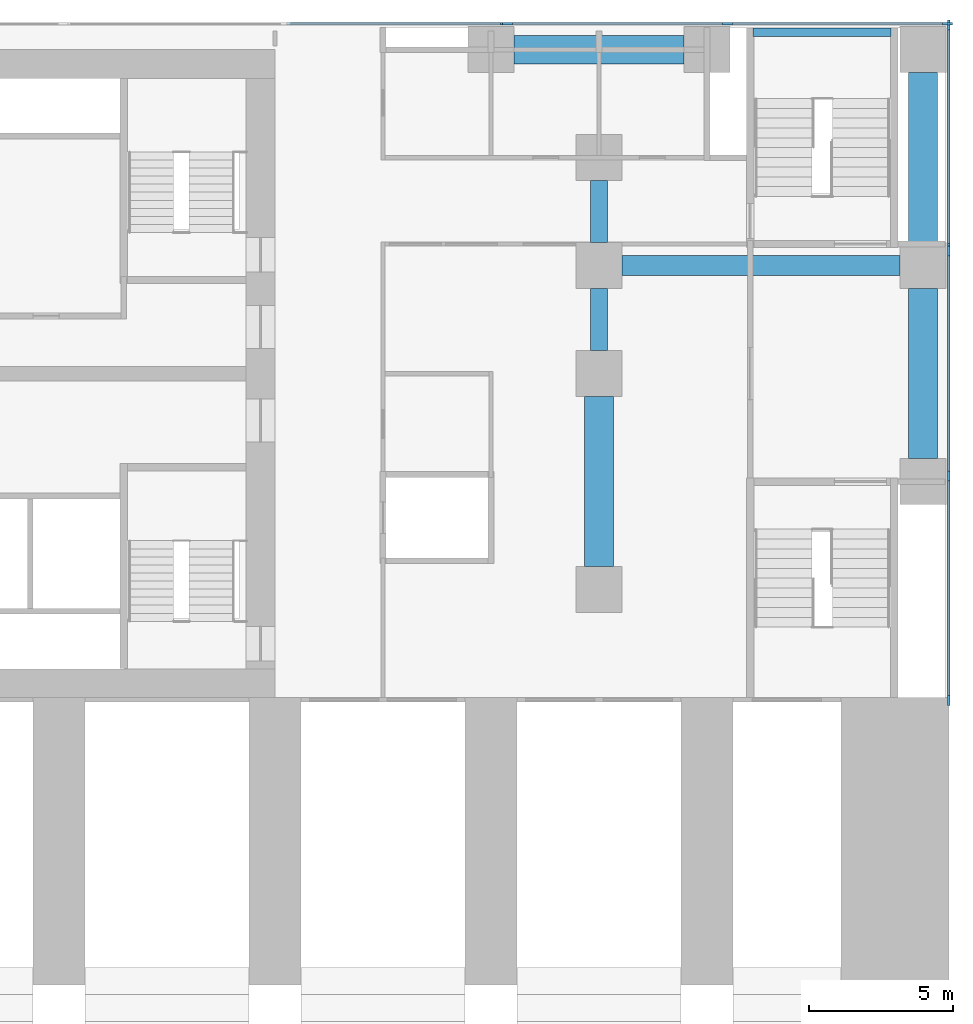
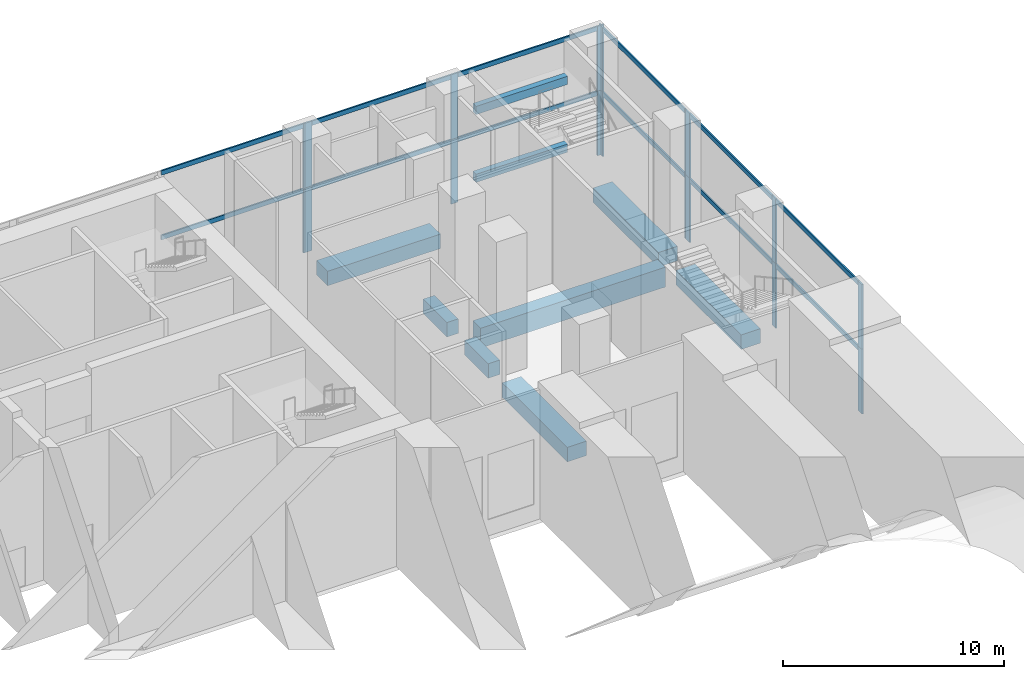
# One storey, part 3 of 15: 30 members, 9 beams, 8 elements without a shape of their own.
"""IFC4 building model written with IfcOpenShell, lengths in metres."""

from ifc_helpers import new_model, si_unit, direction, frame, origin, origin_2d, place, context, subcontext, project, spatial, rectangle, extrude, material, material_profile, profile_set, type_object, element, aggregate, save


model = new_model("IFC4")

# Units and contexts
model_context = context("Model", 3, precision=1e-05, world=origin(), true_north=direction((0.0, 1.0)))
body_context = subcontext(model_context, "Body", "Model", "MODEL_VIEW")
ifc_project = project(units=[si_unit("LENGTHUNIT", "METRE"), si_unit("AREAUNIT", "SQUARE_METRE"), si_unit("VOLUMEUNIT", "CUBIC_METRE"), si_unit("PLANEANGLEUNIT", "RADIAN"), si_unit("MASSUNIT", "GRAM", prefix="KILO")], contexts=[model_context])

# Site, building, storey
site_placement = place(None, origin())
site = spatial("IfcSite", under=ifc_project, at=site_placement, CompositionType="ELEMENT")
building_placement = place(site_placement, origin())
building = spatial("IfcBuilding", under=site, at=building_placement, Name="Pilkhan Gate Tower", CompositionType="ELEMENT")
storey_placement = place(building_placement, frame((0.0, 0.0, 16.5)))
storey = spatial("IfcBuildingStorey", under=building, at=storey_placement, Name="L02", CompositionType="ELEMENT", Elevation=16.5)

# Beams
ifc_material_1 = material(Name="Concrete C50/60", Category="concrete")
ifc_material_profile_1 = material_profile(ifc_material_1, rectangle(XDim=0.300048828125, YDim=0.449951171875, at=origin_2d()), Name="RC 300x450")
ifc_profile_set_1 = profile_set([ifc_material_profile_1], Name="Concrete C50/60")
beam_type_1 = type_object("IfcBeamType", Name="Landing support beam LB RC 300x450 C50/60", PredefinedType="BEAM", material=ifc_profile_set_1)
for number, where, z_axis, x_axis, name in (
    (1, (106.60498046875, 94.35009765625, 1.300048828125), (1.0, 0.0, 0.0), (0.0, 1.0, 0.0), "Landing support beam PS2-1 L02"),
    (2, (106.60498046875, 94.35009765625, 5.050048828125), (1.0, 0.0, 0.0), (0.0, 1.0, 0.0), "Landing support beam PS2-3 L02"),
):
    element("IfcBeam", number, at=place(storey_placement, frame(where, z_axis=z_axis, x_axis=x_axis)), inside=storey, type_object=beam_type_1, Name=name, PredefinedType="BEAM", context=body_context, shape_type="SweptSolid", body=[
        extrude(rectangle(XDim=0.300048828125, YDim=0.449951171875, at=origin_2d()), origin(), (0.0, 0.0, 1.0), 4.7900390625),
    ])

# Curtain wall, members
ifc_material_2 = material(Name="Pale anodised aluminium, clear low-iron laminated glazing", Category="aluminium")
curtain_wall_type = type_object("IfcCurtainWallType", Name="Podium unitised curtain wall CW-P", PredefinedType="USERDEFINED", material=ifc_material_2)
curtain_wall_1_placement = place(storey_placement, origin())
curtain_wall_1 = element("IfcCurtainWall", 3, at=curtain_wall_1_placement, inside=storey, type_object=curtain_wall_type, Name="Podium unitised curtain wall CW-P L02 E", ObjectType="UNITISED CURTAIN WALL", PredefinedType="USERDEFINED")
ifc_material_3 = material(Name="Pale anodised aluminium", Category="aluminium")
ifc_material_profile_2 = material_profile(ifc_material_3, rectangle(XDim=0.080078125, YDim=0.35009765625, at=origin_2d()), Name="Mullion 350x80")
ifc_profile_set_2 = profile_set([ifc_material_profile_2], Name="Pale anodised aluminium")
member_type_1 = type_object("IfcMemberType", Name="Mullion CW-P 350x80", PredefinedType="MULLION", material=ifc_profile_set_2)
member_1_placement = place(storey_placement, frame((113.39501953125, 71.14501953125, 0.0), z_axis=(0.0, 0.0, 1.0), x_axis=(-1.0, 0.0, 0.0)))
member_1 = element("IfcMember", 4, at=member_1_placement, type_object=member_type_1, Name="CW-P mullion 1", PredefinedType="MULLION", context=body_context, shape_type="SweptSolid", body=[
    extrude(rectangle(XDim=0.080078125, YDim=0.35009765625, at=origin_2d()), origin(), (0.0, 0.0, 1.0), 3.574951171875),
])
member_2_placement = place(storey_placement, frame((113.39501953125, 78.95166015625, 0.0), z_axis=(0.0, 0.0, 1.0), x_axis=(-1.0, 0.0, 0.0)))
member_2 = element("IfcMember", 5, at=member_2_placement, type_object=member_type_1, Name="CW-P mullion 2", PredefinedType="MULLION", context=body_context, shape_type="SweptSolid", body=[
    extrude(rectangle(XDim=0.080078125, YDim=0.35009765625, at=origin_2d()), origin(), (0.0, 0.0, 1.0), 3.574951171875),
])
member_3_placement = place(storey_placement, frame((113.39501953125, 86.75830078125, 0.0), z_axis=(0.0, 0.0, 1.0), x_axis=(-1.0, 0.0, 0.0)))
member_3 = element("IfcMember", 6, at=member_3_placement, type_object=member_type_1, Name="CW-P mullion 3", PredefinedType="MULLION", context=body_context, shape_type="SweptSolid", body=[
    extrude(rectangle(XDim=0.080078125, YDim=0.35009765625, at=origin_2d()), origin(), (0.0, 0.0, 1.0), 3.574951171875),
])

curtain_wall_2_placement = place(storey_placement, origin())
curtain_wall_2 = element("IfcCurtainWall", 7, at=curtain_wall_2_placement, inside=storey, type_object=curtain_wall_type, Name="Podium unitised curtain wall CW-P L02 E", ObjectType="UNITISED CURTAIN WALL", PredefinedType="USERDEFINED")
member_4_placement = place(storey_placement, frame((113.39501953125, 86.83837890625, 0.0), z_axis=(0.0, 0.0, 1.0), x_axis=(-1.0, 0.0, 0.0)))
member_4 = element("IfcMember", 8, at=member_4_placement, type_object=member_type_1, Name="CW-P mullion 1", PredefinedType="MULLION", context=body_context, shape_type="SweptSolid", body=[
    extrude(rectangle(XDim=0.080078125, YDim=0.35009765625, at=origin_2d()), origin(), (0.0, 0.0, 1.0), 3.574951171875),
])
member_5_placement = place(storey_placement, frame((113.39501953125, 94.60498046875, 0.0), z_axis=(0.0, 0.0, 1.0), x_axis=(-1.0, 0.0, 0.0)))
member_5 = element("IfcMember", 9, at=member_5_placement, type_object=member_type_1, Name="CW-P mullion 2", PredefinedType="MULLION", context=body_context, shape_type="SweptSolid", body=[
    extrude(rectangle(XDim=0.080078125, YDim=0.35009765625, at=origin_2d()), origin(), (0.0, 0.0, 1.0), 3.574951171875),
])

curtain_wall_3_placement = place(storey_placement, origin())
curtain_wall_3 = element("IfcCurtainWall", 10, at=curtain_wall_3_placement, inside=storey, type_object=curtain_wall_type, Name="Podium unitised curtain wall CW-P L02 E", ObjectType="UNITISED CURTAIN WALL", PredefinedType="USERDEFINED")
member_6_placement = place(storey_placement, frame((113.39501953125, 71.14501953125, 3.574951171875), z_axis=(0.0, 0.0, 1.0), x_axis=(-1.0, 0.0, 0.0)))
member_6 = element("IfcMember", 11, at=member_6_placement, type_object=member_type_1, Name="CW-P mullion 1", PredefinedType="MULLION", context=body_context, shape_type="SweptSolid", body=[
    extrude(rectangle(XDim=0.080078125, YDim=0.35009765625, at=origin_2d()), origin(), (0.0, 0.0, 1.0), 3.574951171875),
])
member_7_placement = place(storey_placement, frame((113.39501953125, 78.95166015625, 3.574951171875), z_axis=(0.0, 0.0, 1.0), x_axis=(-1.0, 0.0, 0.0)))
member_7 = element("IfcMember", 12, at=member_7_placement, type_object=member_type_1, Name="CW-P mullion 2", PredefinedType="MULLION", context=body_context, shape_type="SweptSolid", body=[
    extrude(rectangle(XDim=0.080078125, YDim=0.35009765625, at=origin_2d()), origin(), (0.0, 0.0, 1.0), 3.574951171875),
])
member_8_placement = place(storey_placement, frame((113.39501953125, 86.75830078125, 3.574951171875), z_axis=(0.0, 0.0, 1.0), x_axis=(-1.0, 0.0, 0.0)))
member_8 = element("IfcMember", 13, at=member_8_placement, type_object=member_type_1, Name="CW-P mullion 3", PredefinedType="MULLION", context=body_context, shape_type="SweptSolid", body=[
    extrude(rectangle(XDim=0.080078125, YDim=0.35009765625, at=origin_2d()), origin(), (0.0, 0.0, 1.0), 3.574951171875),
])

curtain_wall_4_placement = place(storey_placement, origin())
curtain_wall_4 = element("IfcCurtainWall", 14, at=curtain_wall_4_placement, inside=storey, type_object=curtain_wall_type, Name="Podium unitised curtain wall CW-P L02 E", ObjectType="UNITISED CURTAIN WALL", PredefinedType="USERDEFINED")
member_9_placement = place(storey_placement, frame((113.39501953125, 86.83837890625, 3.574951171875), z_axis=(0.0, 0.0, 1.0), x_axis=(-1.0, 0.0, 0.0)))
member_9 = element("IfcMember", 15, at=member_9_placement, type_object=member_type_1, Name="CW-P mullion 1", PredefinedType="MULLION", context=body_context, shape_type="SweptSolid", body=[
    extrude(rectangle(XDim=0.080078125, YDim=0.35009765625, at=origin_2d()), origin(), (0.0, 0.0, 1.0), 3.574951171875),
])
member_10_placement = place(storey_placement, frame((113.39501953125, 94.60498046875, 3.574951171875), z_axis=(0.0, 0.0, 1.0), x_axis=(-1.0, 0.0, 0.0)))
member_10 = element("IfcMember", 16, at=member_10_placement, type_object=member_type_1, Name="CW-P mullion 2", PredefinedType="MULLION", context=body_context, shape_type="SweptSolid", body=[
    extrude(rectangle(XDim=0.080078125, YDim=0.35009765625, at=origin_2d()), origin(), (0.0, 0.0, 1.0), 3.574951171875),
])

# Curtain wall, member
curtain_wall_5_placement = place(storey_placement, origin())
curtain_wall_5 = element("IfcCurtainWall", 17, at=curtain_wall_5_placement, inside=storey, type_object=curtain_wall_type, Name="Podium unitised curtain wall CW-P L02 N", ObjectType="UNITISED CURTAIN WALL", PredefinedType="USERDEFINED")
member_11_placement = place(storey_placement, frame((97.9970703125, 94.64501953125, 0.0), z_axis=(0.0, 0.0, 1.0), x_axis=(0.0, 1.0, 0.0)))
member_11 = element("IfcMember", 18, at=member_11_placement, type_object=member_type_1, Name="CW-P mullion 3", PredefinedType="MULLION", context=body_context, shape_type="SweptSolid", body=[
    extrude(rectangle(XDim=0.080078125, YDim=0.35009765625, at=origin_2d()), origin(), (0.0, 0.0, 1.0), 3.574951171875),
])

# Curtain wall, members
curtain_wall_6_placement = place(storey_placement, origin())
curtain_wall_6 = element("IfcCurtainWall", 19, at=curtain_wall_6_placement, inside=storey, type_object=curtain_wall_type, Name="Podium unitised curtain wall CW-P L02 N", ObjectType="UNITISED CURTAIN WALL", PredefinedType="USERDEFINED")
member_12_placement = place(storey_placement, frame((98.076904296875, 94.64501953125, 0.0), z_axis=(0.0, 0.0, 1.0), x_axis=(0.0, 1.0, 0.0)))
member_12 = element("IfcMember", 20, at=member_12_placement, type_object=member_type_1, Name="CW-P mullion 1", PredefinedType="MULLION", context=body_context, shape_type="SweptSolid", body=[
    extrude(rectangle(XDim=0.080078125, YDim=0.35009765625, at=origin_2d()), origin(), (0.0, 0.0, 1.0), 3.574951171875),
])
member_13_placement = place(storey_placement, frame((105.716064453125, 94.64501953125, 0.0), z_axis=(0.0, 0.0, 1.0), x_axis=(0.0, 1.0, 0.0)))
member_13 = element("IfcMember", 21, at=member_13_placement, type_object=member_type_1, Name="CW-P mullion 2", PredefinedType="MULLION", context=body_context, shape_type="SweptSolid", body=[
    extrude(rectangle(XDim=0.080078125, YDim=0.35009765625, at=origin_2d()), origin(), (0.0, 0.0, 1.0), 3.574951171875),
])
member_14_placement = place(storey_placement, frame((113.35498046875, 94.64501953125, 0.0), z_axis=(0.0, 0.0, 1.0), x_axis=(0.0, 1.0, 0.0)))
member_14 = element("IfcMember", 22, at=member_14_placement, type_object=member_type_1, Name="CW-P mullion 3", PredefinedType="MULLION", context=body_context, shape_type="SweptSolid", body=[
    extrude(rectangle(XDim=0.080078125, YDim=0.35009765625, at=origin_2d()), origin(), (0.0, 0.0, 1.0), 3.574951171875),
])

# Curtain wall, member
curtain_wall_7_placement = place(storey_placement, origin())
curtain_wall_7 = element("IfcCurtainWall", 23, at=curtain_wall_7_placement, inside=storey, type_object=curtain_wall_type, Name="Podium unitised curtain wall CW-P L02 N", ObjectType="UNITISED CURTAIN WALL", PredefinedType="USERDEFINED")
member_15_placement = place(storey_placement, frame((97.9970703125, 94.64501953125, 3.574951171875), z_axis=(0.0, 0.0, 1.0), x_axis=(0.0, 1.0, 0.0)))
member_15 = element("IfcMember", 24, at=member_15_placement, type_object=member_type_1, Name="CW-P mullion 3", PredefinedType="MULLION", context=body_context, shape_type="SweptSolid", body=[
    extrude(rectangle(XDim=0.080078125, YDim=0.35009765625, at=origin_2d()), origin(), (0.0, 0.0, 1.0), 3.574951171875),
])

# Curtain wall, members
curtain_wall_8_placement = place(storey_placement, origin())
curtain_wall_8 = element("IfcCurtainWall", 25, at=curtain_wall_8_placement, inside=storey, type_object=curtain_wall_type, Name="Podium unitised curtain wall CW-P L02 N", ObjectType="UNITISED CURTAIN WALL", PredefinedType="USERDEFINED")
member_16_placement = place(storey_placement, frame((98.076904296875, 94.64501953125, 3.574951171875), z_axis=(0.0, 0.0, 1.0), x_axis=(0.0, 1.0, 0.0)))
member_16 = element("IfcMember", 26, at=member_16_placement, type_object=member_type_1, Name="CW-P mullion 1", PredefinedType="MULLION", context=body_context, shape_type="SweptSolid", body=[
    extrude(rectangle(XDim=0.080078125, YDim=0.35009765625, at=origin_2d()), origin(), (0.0, 0.0, 1.0), 3.574951171875),
])
member_17_placement = place(storey_placement, frame((105.716064453125, 94.64501953125, 3.574951171875), z_axis=(0.0, 0.0, 1.0), x_axis=(0.0, 1.0, 0.0)))
member_17 = element("IfcMember", 27, at=member_17_placement, type_object=member_type_1, Name="CW-P mullion 2", PredefinedType="MULLION", context=body_context, shape_type="SweptSolid", body=[
    extrude(rectangle(XDim=0.080078125, YDim=0.35009765625, at=origin_2d()), origin(), (0.0, 0.0, 1.0), 3.574951171875),
])
member_18_placement = place(storey_placement, frame((113.35498046875, 94.64501953125, 3.574951171875), z_axis=(0.0, 0.0, 1.0), x_axis=(0.0, 1.0, 0.0)))
member_18 = element("IfcMember", 28, at=member_18_placement, type_object=member_type_1, Name="CW-P mullion 3", PredefinedType="MULLION", context=body_context, shape_type="SweptSolid", body=[
    extrude(rectangle(XDim=0.080078125, YDim=0.35009765625, at=origin_2d()), origin(), (0.0, 0.0, 1.0), 3.574951171875),
])

# Beams
ifc_material_profile_3 = material_profile(ifc_material_1, rectangle(XDim=0.699951171875, YDim=1.10009765625, at=origin_2d()), Name="RC 700x1100")
ifc_profile_set_3 = profile_set([ifc_material_profile_3], Name="Concrete C50/60")
beam_type_2 = type_object("IfcBeamType", Name="Podium girder PG110 RC 700x1100 C50/60", PredefinedType="BEAM", material=ifc_profile_set_3)
beam_placement = place(storey_placement, frame((102.050048828125, 86.25, -0.89990234375), z_axis=(1.0, 0.0, 0.0), x_axis=(0.0, 1.0, 0.0)))
element("IfcBeam", 29, at=beam_placement, inside=storey, type_object=beam_type_2, Name="Podium beam 12 L02", PredefinedType="BEAM", context=body_context, shape_type="SweptSolid", body=[
    extrude(rectangle(XDim=0.699951171875, YDim=1.10009765625, at=origin_2d()), origin(), (0.0, 0.0, 1.0), 9.64990234375),
])
ifc_material_profile_4 = material_profile(ifc_material_1, rectangle(XDim=1.0, YDim=0.800048828125, at=origin_2d()), Name="RC 1000x800")
ifc_profile_set_4 = profile_set([ifc_material_profile_4], Name="Concrete C50/60")
beam_type_3 = type_object("IfcBeamType", Name="Podium joist PJ80 RC 1000x800 C50/60", PredefinedType="JOIST", material=ifc_profile_set_4)
for number, where, z_axis, x_axis, name in (
    (30, (98.300048828125, 93.75, -0.75), (1.0, 0.0, 0.0), (0.0, 1.0, 0.0), "Podium beam 8 L02"),
    (31, (101.25, 75.800048828125, -0.75), (0.0, 1.0, 0.0), (-1.0, 0.0, 0.0), "Podium beam 9 L02"),
    (32, (112.5, 79.550048828125, -0.75), (0.0, 1.0, 0.0), (-1.0, 0.0, 0.0), "Podium beam 13 L02"),
    (33, (112.5, 87.050048828125, -0.75), (0.0, 1.0, 0.0), (-1.0, 0.0, 0.0), "Podium beam 14 L02"),
):
    element("IfcBeam", number, at=place(storey_placement, frame(where, z_axis=z_axis, x_axis=x_axis)), inside=storey, type_object=beam_type_3, Name=name, PredefinedType="JOIST", context=body_context, shape_type="SweptSolid", body=[
        extrude(rectangle(XDim=1.0, YDim=0.800048828125, at=origin_2d()), origin(), (0.0, 0.0, 1.0), 5.89990234375),
    ])
ifc_material_profile_5 = material_profile(ifc_material_1, rectangle(XDim=0.60009765625, YDim=0.800048828125, at=origin_2d()), Name="RC 600x800")
ifc_profile_set_5 = profile_set([ifc_material_profile_5], Name="Concrete C50/60")
beam_type_4 = type_object("IfcBeamType", Name="Podium joist PJ81 RC 600x800 C50/60", PredefinedType="JOIST", material=ifc_profile_set_5)
for number, where, z_axis, x_axis, name in (
    (34, (101.25, 83.300048828125, -0.75), (0.0, 1.0, 0.0), (-1.0, 0.0, 0.0), "Podium beam 10 L02"),
    (35, (101.25, 87.050048828125, -0.75), (0.0, 1.0, 0.0), (-1.0, 0.0, 0.0), "Podium beam 11 L02"),
):
    element("IfcBeam", number, at=place(storey_placement, frame(where, z_axis=z_axis, x_axis=x_axis)), inside=storey, type_object=beam_type_4, Name=name, PredefinedType="JOIST", context=body_context, shape_type="SweptSolid", body=[
        extrude(rectangle(XDim=0.60009765625, YDim=0.800048828125, at=origin_2d()), origin(), (0.0, 0.0, 1.0), 2.14990234375),
    ])

# Member
ifc_material_profile_6 = material_profile(ifc_material_3, rectangle(XDim=0.080078125, YDim=0.25, at=origin_2d()), Name="Transom 250x80")
ifc_profile_set_6 = profile_set([ifc_material_profile_6], Name="Pale anodised aluminium")
member_type_2 = type_object("IfcMemberType", Name="Transom CW-P 250x80", PredefinedType="USERDEFINED", material=ifc_profile_set_6)
member_19_placement = place(storey_placement, frame((113.39501953125, 71.18505859375, 3.449951171875), z_axis=(0.0, 1.0, 0.0), x_axis=(-1.0, 0.0, 0.0)))
member_19 = element("IfcMember", 36, at=member_19_placement, type_object=member_type_2, Name="CW-P transom 1", ObjectType="TRANSOM", PredefinedType="USERDEFINED", context=body_context, shape_type="SweptSolid", body=[
    extrude(rectangle(XDim=0.080078125, YDim=0.25, at=origin_2d()), origin(), (0.0, 0.0, 1.0), 7.7265625),
])

member_20_placement = place(storey_placement, frame((113.39501953125, 78.99169921875, 3.449951171875), z_axis=(0.0, 1.0, 0.0), x_axis=(-1.0, 0.0, 0.0)))
member_20 = element("IfcMember", 37, at=member_20_placement, type_object=member_type_2, Name="CW-P transom 2", ObjectType="TRANSOM", PredefinedType="USERDEFINED", context=body_context, shape_type="SweptSolid", body=[
    extrude(rectangle(XDim=0.080078125, YDim=0.25, at=origin_2d()), origin(), (0.0, 0.0, 1.0), 7.7265625),
])

aggregate(curtain_wall_1, [member_1, member_2, member_3, member_19, member_20])

member_21_placement = place(storey_placement, frame((113.39501953125, 86.87841796875, 3.449951171875), z_axis=(0.0, 1.0, 0.0), x_axis=(-1.0, 0.0, 0.0)))
member_21 = element("IfcMember", 38, at=member_21_placement, type_object=member_type_2, Name="CW-P transom 1", ObjectType="TRANSOM", PredefinedType="USERDEFINED", context=body_context, shape_type="SweptSolid", body=[
    extrude(rectangle(XDim=0.080078125, YDim=0.25, at=origin_2d()), origin(), (0.0, 0.0, 1.0), 7.6865234375),
])

aggregate(curtain_wall_2, [member_4, member_5, member_21])

member_22_placement = place(storey_placement, frame((113.39501953125, 71.18505859375, 7.02490234375), z_axis=(0.0, 1.0, 0.0), x_axis=(-1.0, 0.0, 0.0)))
member_22 = element("IfcMember", 39, at=member_22_placement, type_object=member_type_2, Name="CW-P transom 1", ObjectType="TRANSOM", PredefinedType="USERDEFINED", context=body_context, shape_type="SweptSolid", body=[
    extrude(rectangle(XDim=0.080078125, YDim=0.25, at=origin_2d()), origin(), (0.0, 0.0, 1.0), 7.7265625),
])

member_23_placement = place(storey_placement, frame((113.39501953125, 78.99169921875, 7.02490234375), z_axis=(0.0, 1.0, 0.0), x_axis=(-1.0, 0.0, 0.0)))
member_23 = element("IfcMember", 40, at=member_23_placement, type_object=member_type_2, Name="CW-P transom 2", ObjectType="TRANSOM", PredefinedType="USERDEFINED", context=body_context, shape_type="SweptSolid", body=[
    extrude(rectangle(XDim=0.080078125, YDim=0.25, at=origin_2d()), origin(), (0.0, 0.0, 1.0), 7.7265625),
])

aggregate(curtain_wall_3, [member_6, member_7, member_8, member_22, member_23])

member_24_placement = place(storey_placement, frame((113.39501953125, 86.87841796875, 7.02490234375), z_axis=(0.0, 1.0, 0.0), x_axis=(-1.0, 0.0, 0.0)))
member_24 = element("IfcMember", 41, at=member_24_placement, type_object=member_type_2, Name="CW-P transom 1", ObjectType="TRANSOM", PredefinedType="USERDEFINED", context=body_context, shape_type="SweptSolid", body=[
    extrude(rectangle(XDim=0.080078125, YDim=0.25, at=origin_2d()), origin(), (0.0, 0.0, 1.0), 7.6865234375),
])

aggregate(curtain_wall_4, [member_9, member_10, member_24])

member_25_placement = place(storey_placement, frame((90.39794921875, 94.64501953125, 3.449951171875), z_axis=(1.0, 0.0, 0.0), x_axis=(0.0, 1.0, 0.0)))
member_25 = element("IfcMember", 42, at=member_25_placement, type_object=member_type_2, Name="CW-P transom 2", ObjectType="TRANSOM", PredefinedType="USERDEFINED", context=body_context, shape_type="SweptSolid", body=[
    extrude(rectangle(XDim=0.080078125, YDim=0.25, at=origin_2d()), origin(), (0.0, 0.0, 1.0), 7.55908203125),
])

aggregate(curtain_wall_5, [member_11, member_25])

member_26_placement = place(storey_placement, frame((98.116943359375, 94.64501953125, 3.449951171875), z_axis=(1.0, 0.0, 0.0), x_axis=(0.0, 1.0, 0.0)))
member_26 = element("IfcMember", 43, at=member_26_placement, type_object=member_type_2, Name="CW-P transom 1", ObjectType="TRANSOM", PredefinedType="USERDEFINED", context=body_context, shape_type="SweptSolid", body=[
    extrude(rectangle(XDim=0.080078125, YDim=0.25, at=origin_2d()), origin(), (0.0, 0.0, 1.0), 7.55908203125),
])

member_27_placement = place(storey_placement, frame((105.756103515625, 94.64501953125, 3.449951171875), z_axis=(1.0, 0.0, 0.0), x_axis=(0.0, 1.0, 0.0)))
member_27 = element("IfcMember", 44, at=member_27_placement, type_object=member_type_2, Name="CW-P transom 2", ObjectType="TRANSOM", PredefinedType="USERDEFINED", context=body_context, shape_type="SweptSolid", body=[
    extrude(rectangle(XDim=0.080078125, YDim=0.25, at=origin_2d()), origin(), (0.0, 0.0, 1.0), 7.558837890625),
])

aggregate(curtain_wall_6, [member_12, member_13, member_14, member_26, member_27])

member_28_placement = place(storey_placement, frame((90.39794921875, 94.64501953125, 7.02490234375), z_axis=(1.0, 0.0, 0.0), x_axis=(0.0, 1.0, 0.0)))
member_28 = element("IfcMember", 45, at=member_28_placement, type_object=member_type_2, Name="CW-P transom 2", ObjectType="TRANSOM", PredefinedType="USERDEFINED", context=body_context, shape_type="SweptSolid", body=[
    extrude(rectangle(XDim=0.080078125, YDim=0.25, at=origin_2d()), origin(), (0.0, 0.0, 1.0), 7.55908203125),
])

aggregate(curtain_wall_7, [member_15, member_28])

member_29_placement = place(storey_placement, frame((98.116943359375, 94.64501953125, 7.02490234375), z_axis=(1.0, 0.0, 0.0), x_axis=(0.0, 1.0, 0.0)))
member_29 = element("IfcMember", 46, at=member_29_placement, type_object=member_type_2, Name="CW-P transom 1", ObjectType="TRANSOM", PredefinedType="USERDEFINED", context=body_context, shape_type="SweptSolid", body=[
    extrude(rectangle(XDim=0.080078125, YDim=0.25, at=origin_2d()), origin(), (0.0, 0.0, 1.0), 7.55908203125),
])

member_30_placement = place(storey_placement, frame((105.756103515625, 94.64501953125, 7.02490234375), z_axis=(1.0, 0.0, 0.0), x_axis=(0.0, 1.0, 0.0)))
member_30 = element("IfcMember", 47, at=member_30_placement, type_object=member_type_2, Name="CW-P transom 2", ObjectType="TRANSOM", PredefinedType="USERDEFINED", context=body_context, shape_type="SweptSolid", body=[
    extrude(rectangle(XDim=0.080078125, YDim=0.25, at=origin_2d()), origin(), (0.0, 0.0, 1.0), 7.558837890625),
])

aggregate(curtain_wall_8, [member_16, member_17, member_18, member_29, member_30])

save(model, "model.ifc")
